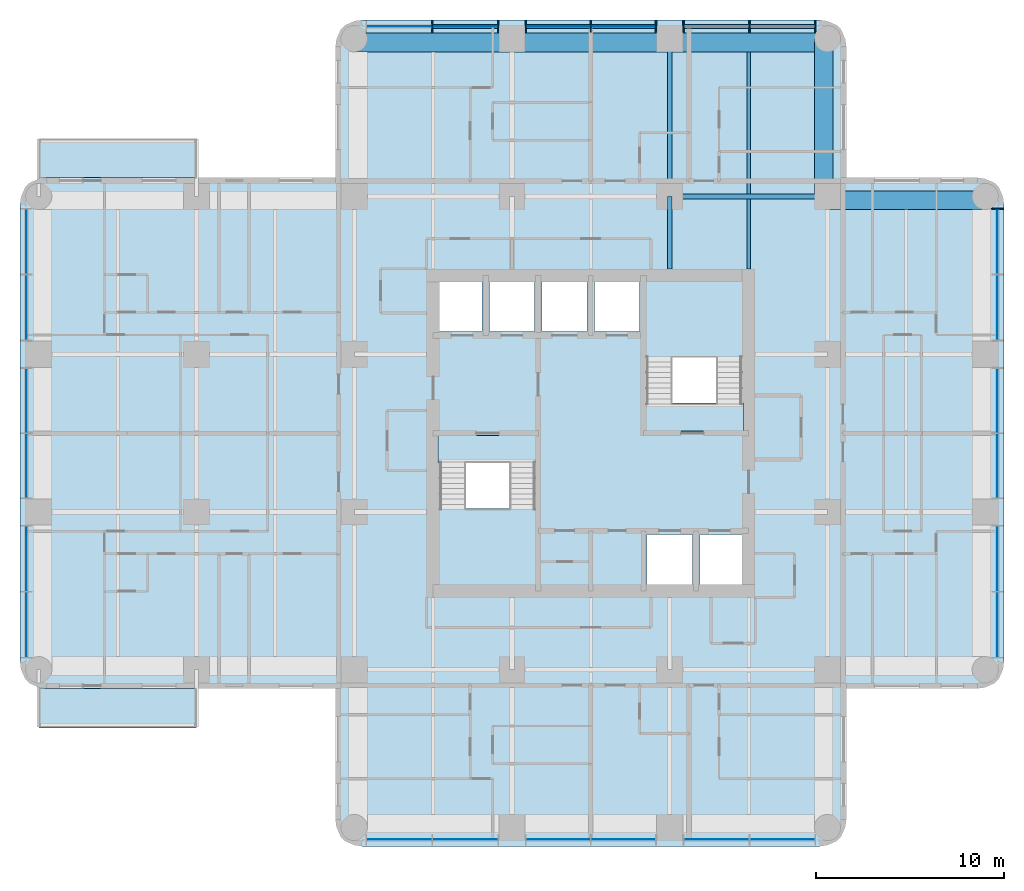
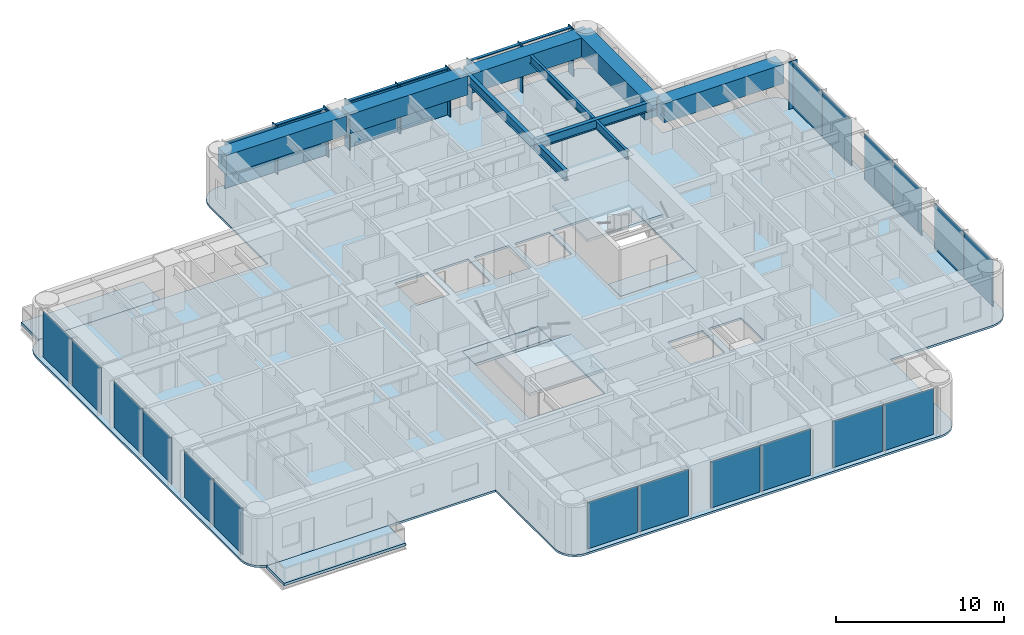
# One storey, part 3 of 11: 22 plates, 14 members, 10 beams, 7 slabs, 6 elements without a shape of their own.
"""IFC4 building model written with IfcOpenShell, lengths in metres."""

from ifc_helpers import new_model, si_unit, direction, frame, origin, origin_2d, place, context, subcontext, project, spatial, polyline, rectangle, i_section, outline, extrude, material, layer, layer_set, material_profile, profile_set, type_object, element, aggregate, save


model = new_model("IFC4")

# Units and contexts
model_context = context("Model", 3, precision=1e-05, world=origin(), true_north=direction((0.0, 1.0)))
body_context = subcontext(model_context, "Body", "Model", "MODEL_VIEW")
ifc_project = project(units=[si_unit("LENGTHUNIT", "METRE"), si_unit("AREAUNIT", "SQUARE_METRE"), si_unit("VOLUMEUNIT", "CUBIC_METRE"), si_unit("PLANEANGLEUNIT", "RADIAN"), si_unit("MASSUNIT", "GRAM", prefix="KILO")], contexts=[model_context])

# Site, building, storey
site_placement = place(None, origin())
site = spatial("IfcSite", under=ifc_project, at=site_placement, CompositionType="ELEMENT")
building_placement = place(site_placement, origin())
building = spatial("IfcBuilding", under=site, at=building_placement, Name="Torre Alcanfor", CompositionType="ELEMENT")
storey_placement = place(building_placement, frame((0.0, 0.0, 208.5)))
storey = spatial("IfcBuildingStorey", under=building, at=storey_placement, Name="L54", CompositionType="ELEMENT", Elevation=208.5)

# Curtain wall, member
ifc_material_1 = material(Name="Aluminium and glass", Category="aluminium")
curtain_wall_type = type_object("IfcCurtainWallType", Name="CW-A unitised apartment glazing with vertical FIN", PredefinedType="NOTDEFINED", material=ifc_material_1)
curtain_wall_1_placement = place(storey_placement, origin())
curtain_wall_1 = element("IfcCurtainWall", 1, at=curtain_wall_1_placement, inside=storey, type_object=curtain_wall_type, Name="Curtain wall CW-A L54 8", PredefinedType="NOTDEFINED")
ifc_material_2 = material(Name="Bronze anodised aluminium", Category="aluminium")
ifc_material_profile_1 = material_profile(ifc_material_2, rectangle(XDim=0.60009765625, YDim=0.06494140625, at=origin_2d()), Name="CW-A mullion 65x600")
ifc_profile_set_1 = profile_set([ifc_material_profile_1], Name="Bronze anodised aluminium")
member_type_1 = type_object("IfcMemberType", Name="CW-A mullion with vertical FIN 65x600", PredefinedType="MULLION", material=ifc_profile_set_1)
member_1_placement = place(storey_placement, frame((51.050048828125, 41.35546875, 0.0), z_axis=(0.0, 0.0, 1.0), x_axis=(-1.0, 0.0, 0.0)))
member_1 = element("IfcMember", 2, at=member_1_placement, type_object=member_type_1, Name="CW-A mullion 3.3", PredefinedType="MULLION", context=body_context, shape_type="SweptSolid", body=[
    extrude(rectangle(XDim=0.60009765625, YDim=0.06494140625, at=origin_2d()), origin(), (0.0, 0.0, 1.0), 3.449951171875),
])

# Curtain wall, members
curtain_wall_2_placement = place(storey_placement, origin())
curtain_wall_2 = element("IfcCurtainWall", 3, at=curtain_wall_2_placement, inside=storey, type_object=curtain_wall_type, Name="Curtain wall CW-A L54 11", PredefinedType="NOTDEFINED")
member_2_placement = place(storey_placement, frame((41.35546875, 51.050048828125, 0.0), z_axis=(0.0, 0.0, 1.0), x_axis=(0.0, -1.0, 0.0)))
member_2 = element("IfcMember", 4, at=member_2_placement, type_object=member_type_1, Name="CW-A mullion 1.1", PredefinedType="MULLION", context=body_context, shape_type="SweptSolid", body=[
    extrude(rectangle(XDim=0.60009765625, YDim=0.06494140625, at=origin_2d()), origin(), (0.0, 0.0, 1.0), 3.449951171875),
])
member_3_placement = place(storey_placement, frame((37.846435546875, 51.050048828125, 0.0), z_axis=(0.0, 0.0, 1.0), x_axis=(0.0, -1.0, 0.0)))
member_3 = element("IfcMember", 5, at=member_3_placement, type_object=member_type_1, Name="CW-A mullion 1.2", PredefinedType="MULLION", context=body_context, shape_type="SweptSolid", body=[
    extrude(rectangle(XDim=0.60009765625, YDim=0.06494140625, at=origin_2d()), origin(), (0.0, 0.0, 1.0), 3.449951171875),
])
member_4_placement = place(storey_placement, frame((34.33740234375, 51.050048828125, 0.0), z_axis=(0.0, 0.0, 1.0), x_axis=(0.0, -1.0, 0.0)))
member_4 = element("IfcMember", 6, at=member_4_placement, type_object=member_type_1, Name="CW-A mullion 1.3", PredefinedType="MULLION", context=body_context, shape_type="SweptSolid", body=[
    extrude(rectangle(XDim=0.60009765625, YDim=0.06494140625, at=origin_2d()), origin(), (0.0, 0.0, 1.0), 3.449951171875),
])
member_5_placement = place(storey_placement, frame((32.862548828125, 51.050048828125, 0.0), z_axis=(0.0, 0.0, 1.0), x_axis=(0.0, -1.0, 0.0)))
member_5 = element("IfcMember", 7, at=member_5_placement, type_object=member_type_1, Name="CW-A mullion 2.1", PredefinedType="MULLION", context=body_context, shape_type="SweptSolid", body=[
    extrude(rectangle(XDim=0.60009765625, YDim=0.06494140625, at=origin_2d()), origin(), (0.0, 0.0, 1.0), 3.449951171875),
])
member_6_placement = place(storey_placement, frame((29.39990234375, 51.050048828125, 0.0), z_axis=(0.0, 0.0, 1.0), x_axis=(0.0, -1.0, 0.0)))
member_6 = element("IfcMember", 8, at=member_6_placement, type_object=member_type_1, Name="CW-A mullion 2.2", PredefinedType="MULLION", context=body_context, shape_type="SweptSolid", body=[
    extrude(rectangle(XDim=0.60009765625, YDim=0.06494140625, at=origin_2d()), origin(), (0.0, 0.0, 1.0), 3.449951171875),
])
member_7_placement = place(storey_placement, frame((25.9375, 51.050048828125, 0.0), z_axis=(0.0, 0.0, 1.0), x_axis=(0.0, -1.0, 0.0)))
member_7 = element("IfcMember", 9, at=member_7_placement, type_object=member_type_1, Name="CW-A mullion 2.3", PredefinedType="MULLION", context=body_context, shape_type="SweptSolid", body=[
    extrude(rectangle(XDim=0.60009765625, YDim=0.06494140625, at=origin_2d()), origin(), (0.0, 0.0, 1.0), 3.449951171875),
])
member_8_placement = place(storey_placement, frame((24.46240234375, 51.050048828125, 0.0), z_axis=(0.0, 0.0, 1.0), x_axis=(0.0, -1.0, 0.0)))
member_8 = element("IfcMember", 10, at=member_8_placement, type_object=member_type_1, Name="CW-A mullion 3.1", PredefinedType="MULLION", context=body_context, shape_type="SweptSolid", body=[
    extrude(rectangle(XDim=0.60009765625, YDim=0.06494140625, at=origin_2d()), origin(), (0.0, 0.0, 1.0), 3.449951171875),
])
member_9_placement = place(storey_placement, frame((20.95361328125, 51.050048828125, 0.0), z_axis=(0.0, 0.0, 1.0), x_axis=(0.0, -1.0, 0.0)))
member_9 = element("IfcMember", 11, at=member_9_placement, type_object=member_type_1, Name="CW-A mullion 3.2", PredefinedType="MULLION", context=body_context, shape_type="SweptSolid", body=[
    extrude(rectangle(XDim=0.60009765625, YDim=0.06494140625, at=origin_2d()), origin(), (0.0, 0.0, 1.0), 3.449951171875),
])
ifc_material_3 = material(Name="Extruded aluminium", Category="aluminium")
ifc_material_profile_2 = material_profile(ifc_material_3, rectangle(XDim=0.199951171875, YDim=0.06494140625, at=origin_2d()), Name="CW-A transom 200x65")
ifc_profile_set_2 = profile_set([ifc_material_profile_2], Name="Extruded aluminium")
member_type_2 = type_object("IfcMemberType", Name="CW-A transom 65x200", PredefinedType="USERDEFINED", material=ifc_profile_set_2)
member_10_placement = place(storey_placement, frame((41.322998046875, 51.050048828125, 3.41748046875), z_axis=(-1.0, 0.0, 0.0), x_axis=(0.0, -1.0, 0.0)))
member_10 = element("IfcMember", 12, at=member_10_placement, type_object=member_type_2, Name="CW-A transom 1.1.2", ObjectType="TRANSOM", PredefinedType="USERDEFINED", context=body_context, shape_type="SweptSolid", body=[
    extrude(rectangle(XDim=0.199951171875, YDim=0.06494140625, at=origin_2d()), origin(), (0.0, 0.0, 1.0), 3.444091796875),
])
member_11_placement = place(storey_placement, frame((37.81396484375, 51.050048828125, 3.41748046875), z_axis=(-1.0, 0.0, 0.0), x_axis=(0.0, -1.0, 0.0)))
member_11 = element("IfcMember", 13, at=member_11_placement, type_object=member_type_2, Name="CW-A transom 1.2.2", ObjectType="TRANSOM", PredefinedType="USERDEFINED", context=body_context, shape_type="SweptSolid", body=[
    extrude(rectangle(XDim=0.199951171875, YDim=0.06494140625, at=origin_2d()), origin(), (0.0, 0.0, 1.0), 3.44384765625),
])
member_12_placement = place(storey_placement, frame((32.830078125, 51.050048828125, 3.41748046875), z_axis=(-1.0, 0.0, 0.0), x_axis=(0.0, -1.0, 0.0)))
member_12 = element("IfcMember", 14, at=member_12_placement, type_object=member_type_2, Name="CW-A transom 2.1.2", ObjectType="TRANSOM", PredefinedType="USERDEFINED", context=body_context, shape_type="SweptSolid", body=[
    extrude(rectangle(XDim=0.199951171875, YDim=0.06494140625, at=origin_2d()), origin(), (0.0, 0.0, 1.0), 3.3974609375),
])
member_13_placement = place(storey_placement, frame((29.367431640625, 51.050048828125, 3.41748046875), z_axis=(-1.0, 0.0, 0.0), x_axis=(0.0, -1.0, 0.0)))
member_13 = element("IfcMember", 15, at=member_13_placement, type_object=member_type_2, Name="CW-A transom 2.2.2", ObjectType="TRANSOM", PredefinedType="USERDEFINED", context=body_context, shape_type="SweptSolid", body=[
    extrude(rectangle(XDim=0.199951171875, YDim=0.06494140625, at=origin_2d()), origin(), (0.0, 0.0, 1.0), 3.3974609375),
])
member_14_placement = place(storey_placement, frame((24.429931640625, 51.050048828125, 3.41748046875), z_axis=(-1.0, 0.0, 0.0), x_axis=(0.0, -1.0, 0.0)))
member_14 = element("IfcMember", 16, at=member_14_placement, type_object=member_type_2, Name="CW-A transom 3.1.2", ObjectType="TRANSOM", PredefinedType="USERDEFINED", context=body_context, shape_type="SweptSolid", body=[
    extrude(rectangle(XDim=0.199951171875, YDim=0.06494140625, at=origin_2d()), origin(), (0.0, 0.0, 1.0), 3.44384765625),
])

# Beams
ifc_material_4 = material(Name="Steel ASTM A992 Grade 50", Category="steel")
ifc_material_profile_3 = material_profile(ifc_material_4, i_section(OverallWidth=0.25390625, OverallDepth=0.683349609375, WebThickness=0.012451171875, FlangeThickness=0.01904296875, at=origin_2d()), Name="W27x94")
ifc_profile_set_3 = profile_set([ifc_material_profile_3], Name="Steel ASTM A992 Grade 50")
beam_type_1 = type_object("IfcBeamType", Name="Girder W27x94", PredefinedType="BEAM", material=ifc_profile_set_3)
for number, where, z_axis, x_axis, name in (
    (17, (33.60009765625, 42.0, 3.1083984375), (1.0, 0.0, 0.0), (0.0, 1.0, 0.0), "Beam 5H-6H under L55"),
    (18, (33.60009765625, 42.0, 3.1083984375), (0.0, 1.0, 0.0), (-1.0, 0.0, 0.0), "Beam 5H-5J under L55"),
):
    element("IfcBeam", number, at=place(storey_placement, frame(where, z_axis=z_axis, x_axis=x_axis)), inside=storey, type_object=beam_type_1, Name=name, PredefinedType="BEAM", context=body_context, shape_type="SweptSolid", body=[
        extrude(i_section(OverallWidth=0.25390625, OverallDepth=0.683349609375, WebThickness=0.012451171875, FlangeThickness=0.01904296875, at=origin_2d()), origin(), (0.0, 0.0, 1.0), 8.39990234375),
    ])
ifc_material_5 = material(Name="Steel ASTM A992 Grade 50", Category="steel")
ifc_material_profile_4 = material_profile(ifc_material_5, i_section(OverallWidth=0.25390625, OverallDepth=0.683349609375, WebThickness=0.012451171875, FlangeThickness=0.01904296875, at=origin_2d()), Name="W27x94")
ifc_profile_set_4 = profile_set([ifc_material_profile_4], Name="Steel ASTM A992 Grade 50")
beam_type_2 = type_object("IfcBeamType", Name="Girder, part bay W27x94", PredefinedType="BEAM", material=ifc_profile_set_4)
beam_1_placement = place(storey_placement, frame((33.60009765625, 42.0, 3.1083984375), z_axis=(0.0, -1.0, 0.0), x_axis=(1.0, 0.0, 0.0)))
element("IfcBeam", 19, at=beam_1_placement, inside=storey, type_object=beam_type_2, Name="Beam 5H-538_15 under L55", PredefinedType="BEAM", context=body_context, shape_type="SweptSolid", body=[
    extrude(i_section(OverallWidth=0.25390625, OverallDepth=0.683349609375, WebThickness=0.012451171875, FlangeThickness=0.01904296875, at=origin_2d()), origin(), (0.0, 0.0, 1.0), 3.85009765625),
])
ifc_material_6 = material(Name="Concrete f'c 70 MPa", Category="concrete")
ifc_material_profile_5 = material_profile(ifc_material_6, rectangle(XDim=1.0, YDim=1.39990234375, at=origin_2d()), Name="1000x1400")
ifc_profile_set_5 = profile_set([ifc_material_profile_5], Name="Concrete f'c 70 MPa")
beam_type_3 = type_object("IfcBeamType", Name="RC perimeter beam 1000x1400", PredefinedType="BEAM", material=ifc_profile_set_5)
for number, where, z_axis, x_axis, name in (
    (20, (42.126953125, 41.800048828125, 2.75), (1.0, 0.0, 0.0), (0.0, 1.0, 0.0), "Beam 6H-7H under L55"),
    (21, (16.800048828125, 50.199951171875, 2.75), (1.0, 0.0, 0.0), (0.0, 1.0, 0.0), "Beam 3J-4J under L55"),
):
    element("IfcBeam", number, at=place(storey_placement, frame(where, z_axis=z_axis, x_axis=x_axis)), inside=storey, type_object=beam_type_3, Name=name, PredefinedType="BEAM", context=body_context, shape_type="SweptSolid", body=[
        extrude(rectangle(XDim=1.0, YDim=1.39990234375, at=origin_2d()), origin(), (0.0, 0.0, 1.0), 8.27294921875),
    ])
beam_2_placement = place(storey_placement, frame((25.326904296875, 50.199951171875, 2.75), z_axis=(1.0, 0.0, 0.0), x_axis=(0.0, 1.0, 0.0)))
element("IfcBeam", 22, at=beam_2_placement, inside=storey, type_object=beam_type_3, Name="Beam 4J-5J under L55", PredefinedType="BEAM", context=body_context, shape_type="SweptSolid", body=[
    extrude(rectangle(XDim=1.0, YDim=1.39990234375, at=origin_2d()), origin(), (0.0, 0.0, 1.0), 8.14599609375),
])
for number, where, z_axis, x_axis, name in (
    (23, (33.72705078125, 50.199951171875, 2.75), (1.0, 0.0, 0.0), (0.0, 1.0, 0.0), "Beam 5J-6J under L55"),
    (24, (41.800048828125, 42.126953125, 2.75), (0.0, 1.0, 0.0), (-1.0, 0.0, 0.0), "Beam 6H-6J under L55"),
):
    element("IfcBeam", number, at=place(storey_placement, frame(where, z_axis=z_axis, x_axis=x_axis)), inside=storey, type_object=beam_type_3, Name=name, PredefinedType="BEAM", context=body_context, shape_type="SweptSolid", body=[
        extrude(rectangle(XDim=1.0, YDim=1.39990234375, at=origin_2d()), origin(), (0.0, 0.0, 1.0), 8.27294921875),
    ])
ifc_material_7 = material(Name="Steel ASTM A992 Grade 50", Category="steel")
ifc_material_profile_6 = material_profile(ifc_material_7, i_section(OverallWidth=0.1787109375, OverallDepth=0.60205078125, WebThickness=0.010986328125, FlangeThickness=0.014892578125, at=origin_2d()), Name="W24x62")
ifc_profile_set_6 = profile_set([ifc_material_profile_6], Name="Steel ASTM A992 Grade 50")
beam_type_4 = type_object("IfcBeamType", Name="Secondary beam W24x62", PredefinedType="BEAM", material=ifc_profile_set_6)
beam_3_placement = place(storey_placement, frame((37.800048828125, 42.126953125, 3.14892578125), z_axis=(0.0, 1.0, 0.0), x_axis=(-1.0, 0.0, 0.0)))
element("IfcBeam", 25, at=beam_3_placement, inside=storey, type_object=beam_type_4, Name="Beam 37_8H-37_8J under L55", PredefinedType="BEAM", context=body_context, shape_type="SweptSolid", body=[
    extrude(i_section(OverallWidth=0.1787109375, OverallDepth=0.60205078125, WebThickness=0.010986328125, FlangeThickness=0.014892578125, at=origin_2d()), origin(), (0.0, 0.0, 1.0), 7.572998046875),
])
ifc_material_8 = material(Name="Steel ASTM A992 Grade 50", Category="steel")
ifc_material_profile_7 = material_profile(ifc_material_8, i_section(OverallWidth=0.1787109375, OverallDepth=0.60205078125, WebThickness=0.010986328125, FlangeThickness=0.014892578125, at=origin_2d()), Name="W24x62")
ifc_profile_set_7 = profile_set([ifc_material_profile_7], Name="Steel ASTM A992 Grade 50")
beam_type_5 = type_object("IfcBeamType", Name="Secondary beam, part bay W24x62", PredefinedType="BEAM", material=ifc_profile_set_7)
beam_4_placement = place(storey_placement, frame((37.800048828125, 38.14990234375, 3.14892578125), z_axis=(0.0, 1.0, 0.0), x_axis=(-1.0, 0.0, 0.0)))
element("IfcBeam", 26, at=beam_4_placement, inside=storey, type_object=beam_type_5, Name="Beam 37_838_15-37_8H under L55", PredefinedType="BEAM", context=body_context, shape_type="SweptSolid", body=[
    extrude(i_section(OverallWidth=0.1787109375, OverallDepth=0.60205078125, WebThickness=0.010986328125, FlangeThickness=0.014892578125, at=origin_2d()), origin(), (0.0, 0.0, 1.0), 3.72314453125),
])

# Slabs
ifc_material_9 = material(Name="Concrete f'c 35 MPa", Category="concrete")
ifc_layer_1 = layer(ifc_material_9, 0.199951171875)
ifc_layer_set_1 = layer_set([ifc_layer_1], Name="Balcony slab 200")
slab_type_1 = type_object("IfcSlabType", Name="Balcony slab 200", PredefinedType="FLOOR", material=ifc_layer_set_1)
slab_1_placement = place(storey_placement, frame((0.0, 0.0, -0.199951171875)))
element("IfcSlab", 27, at=slab_1_placement, inside=storey, type_object=slab_type_1, Name="Balcony L54-W1", PredefinedType="FLOOR", context=body_context, shape_type="SweptSolid", body=[
    extrude(outline(polyline([(8.39990234375, 15.800048828125), (0.0, 15.800048828125), (0.0, 13.699951171875), (8.39990234375, 13.699951171875), (8.39990234375, 15.800048828125)])), origin(), (0.0, 0.0, 1.0), 0.199951171875),
])
slab_2_placement = place(storey_placement, frame((0.0, 0.0, -0.199951171875)))
element("IfcSlab", 28, at=slab_2_placement, inside=storey, type_object=slab_type_1, Name="Balcony L54-W2", PredefinedType="FLOOR", context=body_context, shape_type="SweptSolid", body=[
    extrude(outline(polyline([(8.39990234375, 45.10009765625), (0.0, 45.10009765625), (0.0, 43.0), (8.39990234375, 43.0), (8.39990234375, 45.10009765625)])), origin(), (0.0, 0.0, 1.0), 0.199951171875),
])

# Curtain wall, plates
curtain_wall_3_placement = place(storey_placement, origin())
curtain_wall_3 = element("IfcCurtainWall", 29, at=curtain_wall_3_placement, inside=storey, type_object=curtain_wall_type, Name="Curtain wall CW-A L54 2", PredefinedType="NOTDEFINED")
ifc_material_10 = material(Name="Glass", Category="glass")
ifc_layer_2 = layer(ifc_material_10, 0.028076171875)
ifc_layer_set_2 = layer_set([ifc_layer_2], Name="CW-A clear double glazed unit")
plate_type = type_object("IfcPlateType", Name="CW-A clear double glazed unit", PredefinedType="CURTAIN_PANEL", material=ifc_layer_set_2)
plate_1_placement = place(storey_placement, frame((-0.64990234375, 39.60107421875, 0.0), z_axis=(0.0, 0.0, 1.0), x_axis=(0.0, -1.0, 0.0)))
plate_1 = element("IfcPlate", 30, at=plate_1_placement, type_object=plate_type, Name="CW-A panel 1.1.1", PredefinedType="CURTAIN_PANEL", context=body_context, shape_type="SweptSolid", body=[
    extrude(rectangle(XDim=3.444091796875, YDim=0.028076171875, at=origin_2d()), origin(), (0.0, 0.0, 1.0), 3.385009765625),
])
plate_2_placement = place(storey_placement, frame((-0.64990234375, 36.092041015625, 0.0), z_axis=(0.0, 0.0, 1.0), x_axis=(0.0, -1.0, 0.0)))
plate_2 = element("IfcPlate", 31, at=plate_2_placement, type_object=plate_type, Name="CW-A panel 1.2.1", PredefinedType="CURTAIN_PANEL", context=body_context, shape_type="SweptSolid", body=[
    extrude(rectangle(XDim=3.444091796875, YDim=0.028076171875, at=origin_2d()), origin(), (0.0, 0.0, 1.0), 3.385009765625),
])
plate_3_placement = place(storey_placement, frame((-0.64990234375, 31.13134765625, 0.0), z_axis=(0.0, 0.0, 1.0), x_axis=(0.0, -1.0, 0.0)))
plate_3 = element("IfcPlate", 32, at=plate_3_placement, type_object=plate_type, Name="CW-A panel 2.1.1", PredefinedType="CURTAIN_PANEL", context=body_context, shape_type="SweptSolid", body=[
    extrude(rectangle(XDim=3.3974609375, YDim=0.028076171875, at=origin_2d()), origin(), (0.0, 0.0, 1.0), 3.385009765625),
])
plate_4_placement = place(storey_placement, frame((-0.64990234375, 27.668701171875, 0.0), z_axis=(0.0, 0.0, 1.0), x_axis=(0.0, -1.0, 0.0)))
plate_4 = element("IfcPlate", 33, at=plate_4_placement, type_object=plate_type, Name="CW-A panel 2.2.1", PredefinedType="CURTAIN_PANEL", context=body_context, shape_type="SweptSolid", body=[
    extrude(rectangle(XDim=3.3974609375, YDim=0.028076171875, at=origin_2d()), origin(), (0.0, 0.0, 1.0), 3.385009765625),
])
plate_5_placement = place(storey_placement, frame((-0.64990234375, 22.7080078125, 0.0), z_axis=(0.0, 0.0, 1.0), x_axis=(0.0, -1.0, 0.0)))
plate_5 = element("IfcPlate", 34, at=plate_5_placement, type_object=plate_type, Name="CW-A panel 3.1.1", PredefinedType="CURTAIN_PANEL", context=body_context, shape_type="SweptSolid", body=[
    extrude(rectangle(XDim=3.444091796875, YDim=0.028076171875, at=origin_2d()), origin(), (0.0, 0.0, 1.0), 3.385009765625),
])
plate_6_placement = place(storey_placement, frame((-0.64990234375, 19.198974609375, 0.0), z_axis=(0.0, 0.0, 1.0), x_axis=(0.0, -1.0, 0.0)))
plate_6 = element("IfcPlate", 35, at=plate_6_placement, type_object=plate_type, Name="CW-A panel 3.2.1", PredefinedType="CURTAIN_PANEL", context=body_context, shape_type="SweptSolid", body=[
    extrude(rectangle(XDim=3.444091796875, YDim=0.028076171875, at=origin_2d()), origin(), (0.0, 0.0, 1.0), 3.385009765625),
])
aggregate(curtain_wall_3, [plate_1, plate_2, plate_3, plate_4, plate_5, plate_6])

curtain_wall_4_placement = place(storey_placement, origin())
curtain_wall_4 = element("IfcCurtainWall", 36, at=curtain_wall_4_placement, inside=storey, type_object=curtain_wall_type, Name="Curtain wall CW-A L54 5", PredefinedType="NOTDEFINED")
plate_7_placement = place(storey_placement, frame((19.198974609375, 7.75, 0.0), z_axis=(0.0, 0.0, 1.0), x_axis=(1.0, 0.0, 0.0)))
plate_7 = element("IfcPlate", 37, at=plate_7_placement, type_object=plate_type, Name="CW-A panel 1.1.1", PredefinedType="CURTAIN_PANEL", context=body_context, shape_type="SweptSolid", body=[
    extrude(rectangle(XDim=3.444091796875, YDim=0.028076171875, at=origin_2d()), origin(), (0.0, 0.0, 1.0), 3.385009765625),
])
plate_8_placement = place(storey_placement, frame((22.7080078125, 7.75, 0.0), z_axis=(0.0, 0.0, 1.0), x_axis=(1.0, 0.0, 0.0)))
plate_8 = element("IfcPlate", 38, at=plate_8_placement, type_object=plate_type, Name="CW-A panel 1.2.1", PredefinedType="CURTAIN_PANEL", context=body_context, shape_type="SweptSolid", body=[
    extrude(rectangle(XDim=3.444091796875, YDim=0.028076171875, at=origin_2d()), origin(), (0.0, 0.0, 1.0), 3.385009765625),
])
plate_9_placement = place(storey_placement, frame((27.668701171875, 7.75, 0.0), z_axis=(0.0, 0.0, 1.0), x_axis=(1.0, 0.0, 0.0)))
plate_9 = element("IfcPlate", 39, at=plate_9_placement, type_object=plate_type, Name="CW-A panel 2.1.1", PredefinedType="CURTAIN_PANEL", context=body_context, shape_type="SweptSolid", body=[
    extrude(rectangle(XDim=3.3974609375, YDim=0.028076171875, at=origin_2d()), origin(), (0.0, 0.0, 1.0), 3.385009765625),
])
plate_10_placement = place(storey_placement, frame((31.13134765625, 7.75, 0.0), z_axis=(0.0, 0.0, 1.0), x_axis=(1.0, 0.0, 0.0)))
plate_10 = element("IfcPlate", 40, at=plate_10_placement, type_object=plate_type, Name="CW-A panel 2.2.1", PredefinedType="CURTAIN_PANEL", context=body_context, shape_type="SweptSolid", body=[
    extrude(rectangle(XDim=3.3974609375, YDim=0.028076171875, at=origin_2d()), origin(), (0.0, 0.0, 1.0), 3.385009765625),
])
plate_11_placement = place(storey_placement, frame((36.092041015625, 7.75, 0.0), z_axis=(0.0, 0.0, 1.0), x_axis=(1.0, 0.0, 0.0)))
plate_11 = element("IfcPlate", 41, at=plate_11_placement, type_object=plate_type, Name="CW-A panel 3.1.1", PredefinedType="CURTAIN_PANEL", context=body_context, shape_type="SweptSolid", body=[
    extrude(rectangle(XDim=3.444091796875, YDim=0.028076171875, at=origin_2d()), origin(), (0.0, 0.0, 1.0), 3.385009765625),
])
plate_12_placement = place(storey_placement, frame((39.60107421875, 7.75, 0.0), z_axis=(0.0, 0.0, 1.0), x_axis=(1.0, 0.0, 0.0)))
plate_12 = element("IfcPlate", 42, at=plate_12_placement, type_object=plate_type, Name="CW-A panel 3.2.1", PredefinedType="CURTAIN_PANEL", context=body_context, shape_type="SweptSolid", body=[
    extrude(rectangle(XDim=3.444091796875, YDim=0.028076171875, at=origin_2d()), origin(), (0.0, 0.0, 1.0), 3.385009765625),
])
aggregate(curtain_wall_4, [plate_7, plate_8, plate_9, plate_10, plate_11, plate_12])

# Plate
plate_13_placement = place(storey_placement, frame((51.050048828125, 19.198974609375, 0.0), z_axis=(0.0, 0.0, 1.0), x_axis=(0.0, 1.0, 0.0)))
plate_13 = element("IfcPlate", 43, at=plate_13_placement, type_object=plate_type, Name="CW-A panel 1.1.1", PredefinedType="CURTAIN_PANEL", context=body_context, shape_type="SweptSolid", body=[
    extrude(rectangle(XDim=3.444091796875, YDim=0.028076171875, at=origin_2d()), origin(), (0.0, 0.0, 1.0), 3.385009765625),
])

plate_14_placement = place(storey_placement, frame((51.050048828125, 22.7080078125, 0.0), z_axis=(0.0, 0.0, 1.0), x_axis=(0.0, 1.0, 0.0)))
plate_14 = element("IfcPlate", 44, at=plate_14_placement, type_object=plate_type, Name="CW-A panel 1.2.1", PredefinedType="CURTAIN_PANEL", context=body_context, shape_type="SweptSolid", body=[
    extrude(rectangle(XDim=3.444091796875, YDim=0.028076171875, at=origin_2d()), origin(), (0.0, 0.0, 1.0), 3.385009765625),
])

plate_15_placement = place(storey_placement, frame((51.050048828125, 27.668701171875, 0.0), z_axis=(0.0, 0.0, 1.0), x_axis=(0.0, 1.0, 0.0)))
plate_15 = element("IfcPlate", 45, at=plate_15_placement, type_object=plate_type, Name="CW-A panel 2.1.1", PredefinedType="CURTAIN_PANEL", context=body_context, shape_type="SweptSolid", body=[
    extrude(rectangle(XDim=3.3974609375, YDim=0.028076171875, at=origin_2d()), origin(), (0.0, 0.0, 1.0), 3.385009765625),
])

plate_16_placement = place(storey_placement, frame((51.050048828125, 31.13134765625, 0.0), z_axis=(0.0, 0.0, 1.0), x_axis=(0.0, 1.0, 0.0)))
plate_16 = element("IfcPlate", 46, at=plate_16_placement, type_object=plate_type, Name="CW-A panel 2.2.1", PredefinedType="CURTAIN_PANEL", context=body_context, shape_type="SweptSolid", body=[
    extrude(rectangle(XDim=3.3974609375, YDim=0.028076171875, at=origin_2d()), origin(), (0.0, 0.0, 1.0), 3.385009765625),
])

plate_17_placement = place(storey_placement, frame((51.050048828125, 36.092041015625, 0.0), z_axis=(0.0, 0.0, 1.0), x_axis=(0.0, 1.0, 0.0)))
plate_17 = element("IfcPlate", 47, at=plate_17_placement, type_object=plate_type, Name="CW-A panel 3.1.1", PredefinedType="CURTAIN_PANEL", context=body_context, shape_type="SweptSolid", body=[
    extrude(rectangle(XDim=3.444091796875, YDim=0.028076171875, at=origin_2d()), origin(), (0.0, 0.0, 1.0), 3.385009765625),
])

plate_18_placement = place(storey_placement, frame((51.050048828125, 39.60107421875, 0.0), z_axis=(0.0, 0.0, 1.0), x_axis=(0.0, 1.0, 0.0)))
plate_18 = element("IfcPlate", 48, at=plate_18_placement, type_object=plate_type, Name="CW-A panel 3.2.1", PredefinedType="CURTAIN_PANEL", context=body_context, shape_type="SweptSolid", body=[
    extrude(rectangle(XDim=3.444091796875, YDim=0.028076171875, at=origin_2d()), origin(), (0.0, 0.0, 1.0), 3.385009765625),
])

aggregate(curtain_wall_1, [plate_13, plate_14, plate_15, plate_16, member_1, plate_17, plate_18])

plate_19_placement = place(storey_placement, frame((31.13134765625, 51.050048828125, 0.0), z_axis=(0.0, 0.0, 1.0), x_axis=(-1.0, 0.0, 0.0)))
plate_19 = element("IfcPlate", 49, at=plate_19_placement, type_object=plate_type, Name="CW-A panel 2.1.1", PredefinedType="CURTAIN_PANEL", context=body_context, shape_type="SweptSolid", body=[
    extrude(rectangle(XDim=3.3974609375, YDim=0.028076171875, at=origin_2d()), origin(), (0.0, 0.0, 1.0), 3.385009765625),
])

plate_20_placement = place(storey_placement, frame((27.668701171875, 51.050048828125, 0.0), z_axis=(0.0, 0.0, 1.0), x_axis=(-1.0, 0.0, 0.0)))
plate_20 = element("IfcPlate", 50, at=plate_20_placement, type_object=plate_type, Name="CW-A panel 2.2.1", PredefinedType="CURTAIN_PANEL", context=body_context, shape_type="SweptSolid", body=[
    extrude(rectangle(XDim=3.3974609375, YDim=0.028076171875, at=origin_2d()), origin(), (0.0, 0.0, 1.0), 3.385009765625),
])

plate_21_placement = place(storey_placement, frame((22.7080078125, 51.050048828125, 0.0), z_axis=(0.0, 0.0, 1.0), x_axis=(-1.0, 0.0, 0.0)))
plate_21 = element("IfcPlate", 51, at=plate_21_placement, type_object=plate_type, Name="CW-A panel 3.1.1", PredefinedType="CURTAIN_PANEL", context=body_context, shape_type="SweptSolid", body=[
    extrude(rectangle(XDim=3.444091796875, YDim=0.028076171875, at=origin_2d()), origin(), (0.0, 0.0, 1.0), 3.385009765625),
])

plate_22_placement = place(storey_placement, frame((19.198974609375, 51.050048828125, 0.0), z_axis=(0.0, 0.0, 1.0), x_axis=(-1.0, 0.0, 0.0)))
plate_22 = element("IfcPlate", 52, at=plate_22_placement, type_object=plate_type, Name="CW-A panel 3.2.1", PredefinedType="CURTAIN_PANEL", context=body_context, shape_type="SweptSolid", body=[
    extrude(rectangle(XDim=3.444091796875, YDim=0.028076171875, at=origin_2d()), origin(), (0.0, 0.0, 1.0), 3.385009765625),
])

aggregate(curtain_wall_2, [member_2, member_3, member_4, member_10, member_11, member_5, member_6, member_7, member_12, plate_19, member_13, plate_20, member_8, member_9, member_14, plate_21, plate_22])

# Slab
ifc_material_11 = material(Name="Concrete f'c 35 MPa", Category="concrete")
ifc_layer_3 = layer(ifc_material_11, 0.14990234375)
ifc_layer_set_3 = layer_set([ifc_layer_3], Name="Composite floor 150 on metal deck")
slab_type_2 = type_object("IfcSlabType", Name="Composite floor 150 on metal deck", PredefinedType="FLOOR", material=ifc_layer_set_3)
slab_3_placement = place(storey_placement, frame((0.0, 0.0, -0.14990234375)))
element("IfcSlab", 53, at=slab_3_placement, inside=storey, type_object=slab_type_2, Name="Floor slab L54", PredefinedType="FLOOR", context=body_context, shape_type="SweptSolid", body=[
    extrude(outline(polyline([(15.800048828125, 43.0), (0.39990234375, 43.0), (0.03759765625, 42.952392578125), (-0.300048828125, 42.8125), (-0.58984375, 42.58984375), (-0.8125, 42.300048828125), (-0.952392578125, 41.96240234375), (-1.0, 41.60009765625), (-1.0, 17.199951171875), (-0.952392578125, 16.837646484375), (-0.8125, 16.5), (-0.58984375, 16.210205078125), (-0.300048828125, 15.987548828125), (0.03759765625, 15.84765625), (0.39990234375, 15.800048828125), (15.800048828125, 15.800048828125), (15.800048828125, 8.800048828125), (15.84765625, 8.437744140625), (15.987548828125, 8.10009765625), (16.210205078125, 7.81005859375), (16.5, 7.587646484375), (16.837646484375, 7.44775390625), (17.199951171875, 7.39990234375), (41.60009765625, 7.39990234375), (41.96240234375, 7.44775390625), (42.300048828125, 7.587646484375), (42.58984375, 7.81005859375), (42.8125, 8.10009765625), (42.952392578125, 8.437744140625), (43.0, 8.800048828125), (43.0, 15.800048828125), (50.0, 15.800048828125), (50.3623046875, 15.84765625), (50.699951171875, 15.987548828125), (50.989990234375, 16.210205078125), (51.21240234375, 16.5), (51.352294921875, 16.837646484375), (51.39990234375, 17.199951171875), (51.39990234375, 41.60009765625), (51.352294921875, 41.96240234375), (51.21240234375, 42.300048828125), (50.989990234375, 42.58984375), (50.699951171875, 42.8125), (50.3623046875, 42.952392578125), (50.0, 43.0), (43.0, 43.0), (43.0, 50.0), (42.952392578125, 50.3623046875), (42.8125, 50.699951171875), (42.58984375, 50.989990234375), (42.300048828125, 51.21240234375), (41.96240234375, 51.352294921875), (41.60009765625, 51.39990234375), (17.199951171875, 51.39990234375), (16.837646484375, 51.352294921875), (16.5, 51.21240234375), (16.210205078125, 50.989990234375), (15.987548828125, 50.699951171875), (15.84765625, 50.3623046875), (15.800048828125, 50.0), (15.800048828125, 43.0)]), holes=[polyline([(21.27001953125, 21.27001953125), (26.47998046875, 21.27001953125), (26.47998046875, 29.280029296875), (21.27001953125, 29.280029296875), (21.27001953125, 21.27001953125)]), polyline([(32.320068359375, 29.52001953125), (37.530029296875, 29.52001953125), (37.530029296875, 37.530029296875), (32.320068359375, 37.530029296875), (32.320068359375, 29.52001953125)]), polyline([(32.39990234375, 21.35009765625), (34.800048828125, 21.35009765625), (34.800048828125, 24.0), (32.39990234375, 24.0), (32.39990234375, 21.35009765625)]), polyline([(35.199951171875, 21.35009765625), (37.449951171875, 21.35009765625), (37.449951171875, 24.0), (35.199951171875, 24.0), (35.199951171875, 21.35009765625)]), polyline([(21.35009765625, 34.800048828125), (23.60009765625, 34.800048828125), (23.60009765625, 37.449951171875), (21.35009765625, 37.449951171875), (21.35009765625, 34.800048828125)]), polyline([(24.0, 34.800048828125), (26.39990234375, 34.800048828125), (26.39990234375, 37.449951171875), (24.0, 37.449951171875), (24.0, 34.800048828125)]), polyline([(26.800048828125, 34.800048828125), (29.199951171875, 34.800048828125), (29.199951171875, 37.449951171875), (26.800048828125, 37.449951171875), (26.800048828125, 34.800048828125)]), polyline([(29.60009765625, 34.800048828125), (32.0, 34.800048828125), (32.0, 37.449951171875), (29.60009765625, 37.449951171875), (29.60009765625, 34.800048828125)])]), origin(), (0.0, 0.0, 1.0), 0.14990234375),
])

# Stair, slabs
ifc_material_12 = material(Name="Concrete f'c 35 MPa", Category="concrete")
stair_type_1 = type_object("IfcStairType", Name="Exit stair S1 1400 wide", PredefinedType="HALF_TURN_STAIR", material=ifc_material_12)
stair_1_placement = place(storey_placement, origin())
stair_1 = element("IfcStair", 54, at=stair_1_placement, inside=storey, type_object=stair_type_1, Name="Stair S1 L54 to L55", PredefinedType="HALF_TURN_STAIR")
ifc_material_13 = material(Name="Concrete f'c 35 MPa", Category="concrete")
ifc_layer_4 = layer(ifc_material_13, 0.199951171875)
ifc_layer_set_4 = layer_set([ifc_layer_4], Name="Stair landing 200")
slab_type_3 = type_object("IfcSlabType", Name="Stair landing 200", PredefinedType="LANDING", material=ifc_layer_set_4)
slab_4_placement = place(storey_placement, frame((0.0, 0.0, -0.199951171875)))
slab_4 = element("IfcSlab", 55, at=slab_4_placement, type_object=slab_type_3, Name="S1 landing 1", PredefinedType="LANDING", context=body_context, shape_type="SweptSolid", body=[
    extrude(outline(polyline([(21.27001953125, 27.800048828125), (26.47998046875, 27.800048828125), (26.47998046875, 29.280029296875), (21.27001953125, 29.280029296875), (21.27001953125, 27.800048828125)])), origin(), (0.0, 0.0, 1.0), 0.199951171875),
])
slab_5_placement = place(storey_placement, frame((0.0, 0.0, 1.60009765625)))
slab_5 = element("IfcSlab", 56, at=slab_5_placement, type_object=slab_type_3, Name="S1 landing 2", PredefinedType="LANDING", context=body_context, shape_type="SweptSolid", body=[
    extrude(outline(polyline([(21.27001953125, 21.27001953125), (26.530029296875, 21.27001953125), (26.530029296875, 25.3798828125), (21.27001953125, 25.3798828125), (21.27001953125, 21.27001953125)])), origin(), (0.0, 0.0, 1.0), 0.199951171875),
])
aggregate(stair_1, [slab_4, slab_5])

ifc_material_14 = material(Name="Concrete f'c 35 MPa", Category="concrete")
stair_type_2 = type_object("IfcStairType", Name="Exit stair S2 1400 wide", PredefinedType="HALF_TURN_STAIR", material=ifc_material_14)
stair_2_placement = place(storey_placement, origin())
stair_2 = element("IfcStair", 57, at=stair_2_placement, inside=storey, type_object=stair_type_2, Name="Stair S2 L54 to L55", PredefinedType="HALF_TURN_STAIR")
slab_6_placement = place(storey_placement, frame((0.0, 0.0, -0.199951171875)))
slab_6 = element("IfcSlab", 58, at=slab_6_placement, type_object=slab_type_3, Name="S2 landing 1", PredefinedType="LANDING", context=body_context, shape_type="SweptSolid", body=[
    extrude(outline(polyline([(32.320068359375, 29.52001953125), (37.530029296875, 29.52001953125), (37.530029296875, 31.0), (32.320068359375, 31.0), (32.320068359375, 29.52001953125)])), origin(), (0.0, 0.0, 1.0), 0.199951171875),
])
slab_7_placement = place(storey_placement, frame((0.0, 0.0, 1.60009765625)))
slab_7 = element("IfcSlab", 59, at=slab_7_placement, type_object=slab_type_3, Name="S2 landing 2", PredefinedType="LANDING", context=body_context, shape_type="SweptSolid", body=[
    extrude(outline(polyline([(32.27001953125, 33.419921875), (37.530029296875, 33.419921875), (37.530029296875, 37.530029296875), (32.27001953125, 37.530029296875), (32.27001953125, 33.419921875)])), origin(), (0.0, 0.0, 1.0), 0.199951171875),
])
aggregate(stair_2, [slab_6, slab_7])

save(model, "model.ifc")
